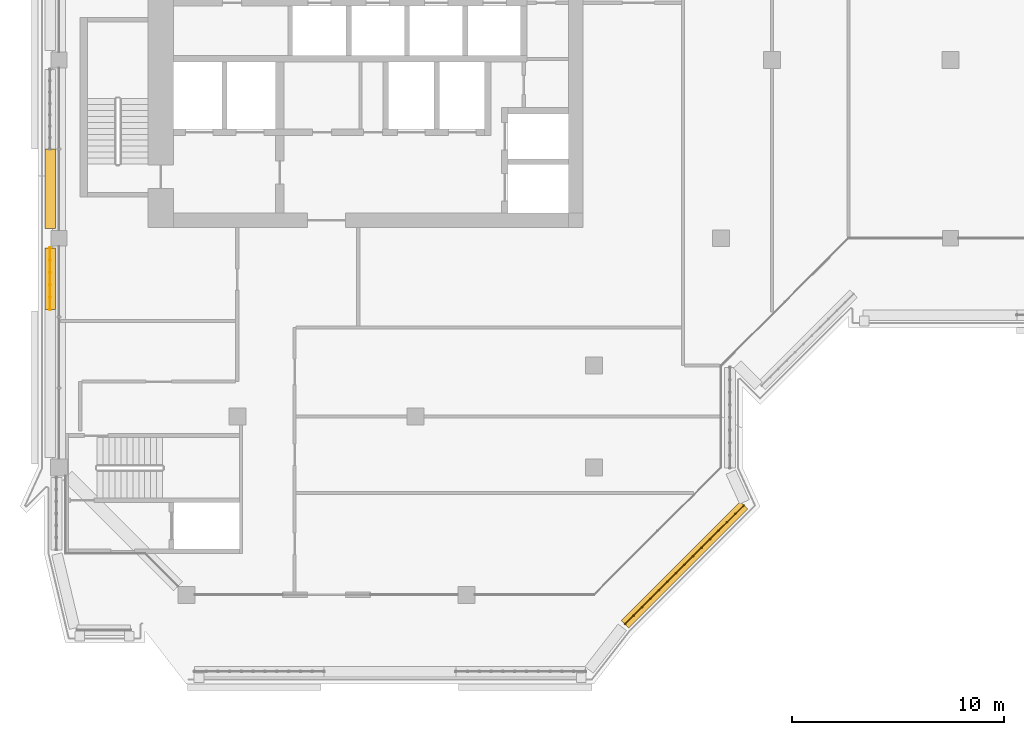
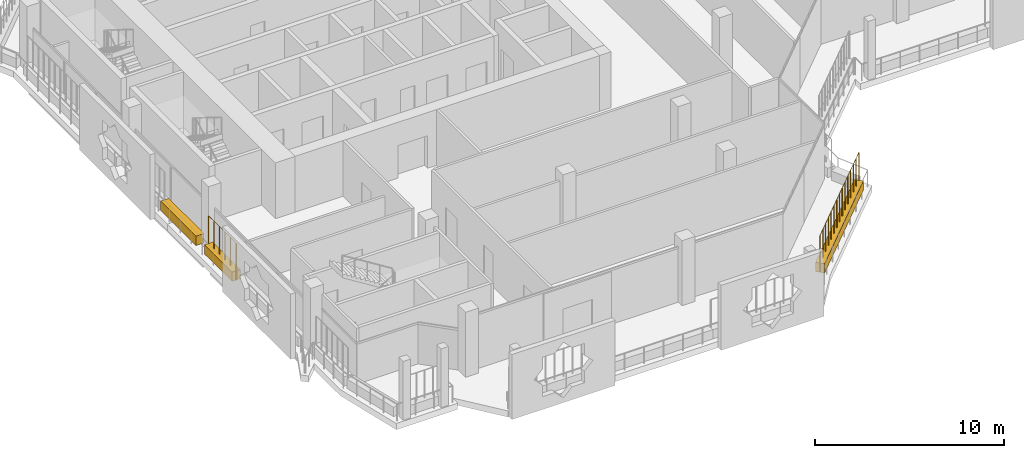
# One storey, part 16 of 21: 3 coverings, 2 railings.
"""IFC4 building model written with IfcOpenShell, lengths in metres."""

from ifc_helpers import new_model, si_unit, direction, frame, origin, origin_2d, place, context, subcontext, project, spatial, rectangle, circle, extrude, material, material_profile, profile_set, type_object, element, save


model = new_model("IFC4")

# Units and contexts
model_context = context("Model", 3, precision=1e-05, world=origin(), true_north=direction((0.0, 1.0)))
body_context = subcontext(model_context, "Body", "Model", "MODEL_VIEW")
ifc_project = project(units=[si_unit("LENGTHUNIT", "METRE"), si_unit("AREAUNIT", "SQUARE_METRE"), si_unit("VOLUMEUNIT", "CUBIC_METRE"), si_unit("PLANEANGLEUNIT", "RADIAN"), si_unit("MASSUNIT", "GRAM", prefix="KILO")], contexts=[model_context])

# Site, building, storey
site_placement = place(None, origin())
site = spatial("IfcSite", under=ifc_project, at=site_placement, CompositionType="ELEMENT")
building_placement = place(site_placement, origin())
building = spatial("IfcBuilding", under=site, at=building_placement, Name="Kawkab Arch Medical Tower", CompositionType="ELEMENT")
storey_placement = place(building_placement, frame((0.0, 0.0, 307.0)))
storey = spatial("IfcBuildingStorey", under=building, at=storey_placement, Name="L71", CompositionType="ELEMENT", Elevation=307.0)

# Coverings
ifc_material_1 = material(Name="Planting soil in a precast trough", Category="concrete")
ifc_material_profile = material_profile(ifc_material_1, rectangle(XDim=0.5, YDim=0.60009765625, at=origin_2d()), Name="Trough 500x600")
ifc_profile_set = profile_set([ifc_material_profile], Name="Planting soil in a precast trough")
covering_type = type_object("IfcCoveringType", Name="Planter trough 500 x 600", PredefinedType="USERDEFINED", material=ifc_profile_set)
covering_1_placement = place(storey_placement, frame((-0.419921875, -28.56298828125, 0.300048828125), z_axis=(0.0, 1.0, 0.0), x_axis=(-1.0, 0.0, 0.0)))
element("IfcCovering", 1, at=covering_1_placement, inside=storey, type_object=covering_type, Name="Planter L71.LOG-01-01.5", ObjectType="PLANTER", PredefinedType="USERDEFINED", context=body_context, shape_type="SweptSolid", body=[
    extrude(rectangle(XDim=0.5, YDim=0.60009765625, at=origin_2d()), origin(), (0.0, 0.0, 1.0), 2.909912109375),
])
covering_2_placement = place(storey_placement, frame((-0.419921875, -24.7470703125, 0.300048828125), z_axis=(0.0, 1.0, 0.0), x_axis=(-1.0, 0.0, 0.0)))
element("IfcCovering", 2, at=covering_2_placement, inside=storey, type_object=covering_type, Name="Planter L71.LOG-01-01.6", ObjectType="PLANTER", PredefinedType="USERDEFINED", context=body_context, shape_type="SweptSolid", body=[
    extrude(rectangle(XDim=0.5, YDim=0.60009765625, at=origin_2d()), origin(), (0.0, 0.0, 1.0), 3.7470703125),
])
covering_3_placement = place(storey_placement, frame((32.27294921875, -37.782958984375, 0.300048828125), z_axis=(-0.707091367247, -0.70712219479, 0.0), x_axis=(0.70712219479, -0.707091367247, 0.0)))
element("IfcCovering", 3, at=covering_3_placement, inside=storey, type_object=covering_type, Name="Planter L71.LOG-01-01.33", ObjectType="PLANTER", PredefinedType="USERDEFINED", context=body_context, shape_type="SweptSolid", body=[
    extrude(rectangle(XDim=0.5, YDim=0.60009765625, at=origin_2d()), origin(), (0.0, 0.0, 1.0), 7.919677734375),
])

# Railings
ifc_material_2 = material(Name="Bronze anodised aluminium trellis for climbing plants", Category="aluminium")
railing_type = type_object("IfcRailingType", Name="Planting trellis 2400", PredefinedType="USERDEFINED", material=ifc_material_2)
railing_1_placement = place(storey_placement, frame((-0.419921875, -28.56298828125, 0.0)))
element("IfcRailing", 4, at=railing_1_placement, inside=storey, type_object=railing_type, Name="Planting trellis L71.LOG-01-01.5", ObjectType="TRELLIS", PredefinedType="USERDEFINED", context=body_context, shape_type="SweptSolid", body=[
    extrude(circle(Radius=0.01513671875, at=origin_2d()), frame((0.0, 0.0, 2.384765625), z_axis=(0.0, 1.0, 0.0), x_axis=(-1.0, 0.0, 0.0)), (0.0, 0.0, 1.0), 2.909912109375),
    extrude(circle(Radius=0.030029296875, at=origin_2d()), origin(), (0.0, 0.0, 1.0), 2.369873046875),
    extrude(circle(Radius=0.030029296875, at=origin_2d()), frame((0.0, 0.58203125, 0.0)), (0.0, 0.0, 1.0), 2.369873046875),
    extrude(circle(Radius=0.030029296875, at=origin_2d()), frame((0.0, 1.1640625, 0.0)), (0.0, 0.0, 1.0), 2.369873046875),
    extrude(circle(Radius=0.030029296875, at=origin_2d()), frame((0.0, 1.745849609375, 0.0)), (0.0, 0.0, 1.0), 2.369873046875),
    extrude(circle(Radius=0.030029296875, at=origin_2d()), frame((0.0, 2.327880859375, 0.0)), (0.0, 0.0, 1.0), 2.369873046875),
    extrude(circle(Radius=0.030029296875, at=origin_2d()), frame((0.0, 2.909912109375, 0.0)), (0.0, 0.0, 1.0), 2.369873046875),
])
railing_2_placement = place(storey_placement, frame((32.27294921875, -37.782958984375, 0.0)))
element("IfcRailing", 5, at=railing_2_placement, inside=storey, type_object=railing_type, Name="Planting trellis L71.LOG-01-01.33", ObjectType="TRELLIS", PredefinedType="USERDEFINED", context=body_context, shape_type="SweptSolid", body=[
    extrude(circle(Radius=0.01513671875, at=origin_2d()), frame((0.0, 0.0, 2.384765625), z_axis=(-0.707091367247, -0.70712219479, 0.0), x_axis=(0.70712219479, -0.707091367247, 0.0)), (0.0, 0.0, 1.0), 7.919677734375),
    extrude(circle(Radius=0.030029296875, at=origin_2d()), origin(), (0.0, 0.0, 1.0), 2.369873046875),
    extrude(circle(Radius=0.030029296875, at=origin_2d()), frame((-0.39990234375, -0.39990234375, 0.0)), (0.0, 0.0, 1.0), 2.369873046875),
    extrude(circle(Radius=0.030029296875, at=origin_2d()), frame((-0.800048828125, -0.800048828125, 0.0)), (0.0, 0.0, 1.0), 2.369873046875),
    extrude(circle(Radius=0.030029296875, at=origin_2d()), frame((-1.199951171875, -1.199951171875, 0.0)), (0.0, 0.0, 1.0), 2.369873046875),
    extrude(circle(Radius=0.030029296875, at=origin_2d()), frame((-1.599853515625, -1.60009765625, 0.0)), (0.0, 0.0, 1.0), 2.369873046875),
    extrude(circle(Radius=0.030029296875, at=origin_2d()), frame((-2.0, -2.0, 0.0)), (0.0, 0.0, 1.0), 2.369873046875),
    extrude(circle(Radius=0.030029296875, at=origin_2d()), frame((-2.39990234375, -2.400146484375, 0.0)), (0.0, 0.0, 1.0), 2.369873046875),
    extrude(circle(Radius=0.030029296875, at=origin_2d()), frame((-2.7998046875, -2.800048828125, 0.0)), (0.0, 0.0, 1.0), 2.369873046875),
    extrude(circle(Radius=0.030029296875, at=origin_2d()), frame((-3.199951171875, -3.199951171875, 0.0)), (0.0, 0.0, 1.0), 2.369873046875),
    extrude(circle(Radius=0.030029296875, at=origin_2d()), frame((-3.599853515625, -3.60009765625, 0.0)), (0.0, 0.0, 1.0), 2.369873046875),
    extrude(circle(Radius=0.030029296875, at=origin_2d()), frame((-4.0, -4.0, 0.0)), (0.0, 0.0, 1.0), 2.369873046875),
    extrude(circle(Radius=0.030029296875, at=origin_2d()), frame((-4.39990234375, -4.400146484375, 0.0)), (0.0, 0.0, 1.0), 2.369873046875),
    extrude(circle(Radius=0.030029296875, at=origin_2d()), frame((-4.7998046875, -4.800048828125, 0.0)), (0.0, 0.0, 1.0), 2.369873046875),
    extrude(circle(Radius=0.030029296875, at=origin_2d()), frame((-5.199951171875, -5.2001953125, 0.0)), (0.0, 0.0, 1.0), 2.369873046875),
    extrude(circle(Radius=0.030029296875, at=origin_2d()), frame((-5.599853515625, -5.60009765625, 0.0)), (0.0, 0.0, 1.0), 2.369873046875),
])

save(model, "model.ifc")
